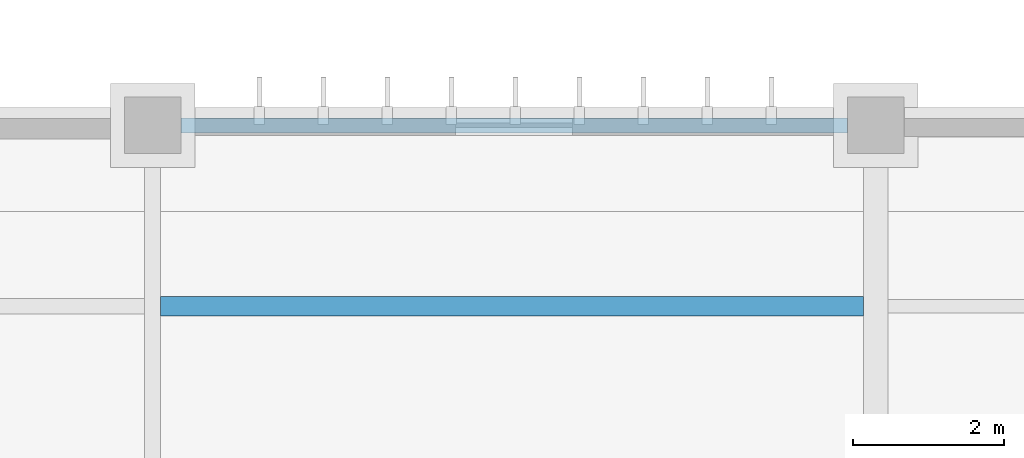
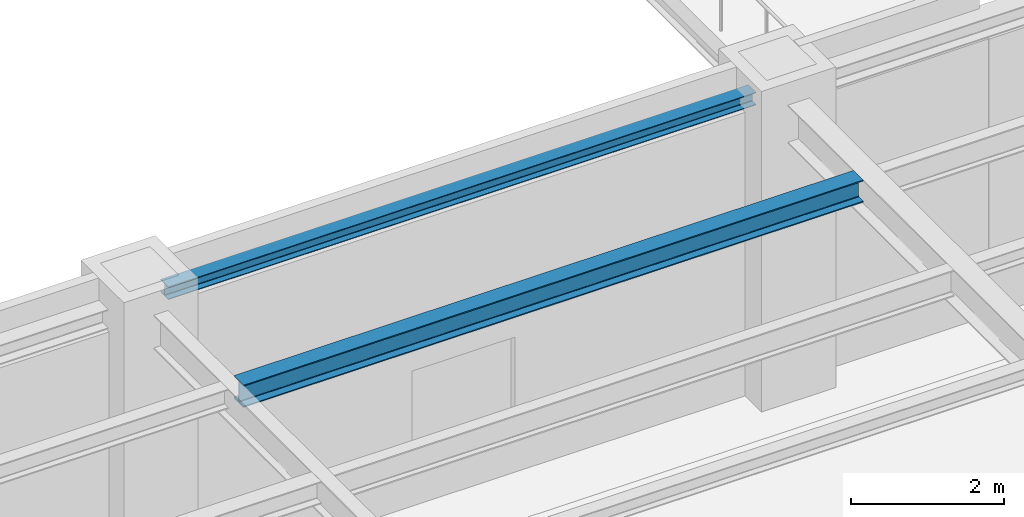
# One storey, part 47 of 174: 2 beams.
"""IFC4 building model written with IfcOpenShell, lengths in metres."""

from ifc_helpers import new_model, si_unit, direction, frame, origin, origin_2d, place, context, subcontext, project, spatial, i_section, extrude, material, material_profile, profile_set, type_object, element, save


model = new_model("IFC4")

# Units and contexts
model_context = context("Model", 3, precision=1e-05, world=origin(), true_north=direction((0.0, 1.0)))
body_context = subcontext(model_context, "Body", "Model", "MODEL_VIEW")
ifc_project = project(units=[si_unit("LENGTHUNIT", "METRE"), si_unit("AREAUNIT", "SQUARE_METRE"), si_unit("VOLUMEUNIT", "CUBIC_METRE"), si_unit("PLANEANGLEUNIT", "RADIAN"), si_unit("MASSUNIT", "GRAM", prefix="KILO")], contexts=[model_context])

# Site, building, storey
site_placement = place(None, origin())
site = spatial("IfcSite", under=ifc_project, at=site_placement, CompositionType="ELEMENT")
building_placement = place(site_placement, origin())
building = spatial("IfcBuilding", under=site, at=building_placement, Name="Mavantir Sound Aquarium", CompositionType="ELEMENT")
storey_placement = place(building_placement, frame((0.0, 0.0, 5.39990234375)))
storey = spatial("IfcBuildingStorey", under=building, at=storey_placement, Name="L01", CompositionType="ELEMENT", Elevation=5.39990234375)

# Beams
ifc_material = material(Name="Structural Steel ASTM A992 Gr50", Category="steel")
ifc_material_profile_1 = material_profile(ifc_material, i_section(OverallWidth=0.202880859375, OverallDepth=0.202880859375, WebThickness=0.007080078125, FlangeThickness=0.010986328125, FilletRadius=0.010009765625, at=origin_2d()), Name="W200X46")
ifc_profile_set_1 = profile_set([ifc_material_profile_1], Name="Structural Steel ASTM A992 Gr50")
beam_type_1 = type_object("IfcBeamType", Name="BM-W200X46-E", PredefinedType="LINTEL", material=ifc_profile_set_1)
beam_1_placement = place(storey_placement, frame((117.97509765625, 19.199951171875, 4.64453125), z_axis=(1.0, 0.0, 0.0), x_axis=(0.0, 1.0, 0.0)))
element("IfcBeam", 1, at=beam_1_placement, inside=storey, type_object=beam_type_1, Name="L01 primary beam SL-20 1406", PredefinedType="LINTEL", context=body_context, shape_type="SweptSolid", body=[
    extrude(i_section(OverallWidth=0.202880859375, OverallDepth=0.202880859375, WebThickness=0.007080078125, FlangeThickness=0.010986328125, FilletRadius=0.010009765625, at=origin_2d()), origin(), (0.0, 0.0, 1.0), 8.849853515625),
])
ifc_material_profile_2 = material_profile(ifc_material, i_section(OverallWidth=0.25390625, OverallDepth=0.35302734375, WebThickness=0.009521484375, FlangeThickness=0.016357421875, FilletRadius=0.014892578125, at=origin_2d()), Name="W360X91")
ifc_profile_set_2 = profile_set([ifc_material_profile_2], Name="Structural Steel ASTM A992 Gr50")
beam_type_2 = type_object("IfcBeamType", Name="BM-W360X91-I", PredefinedType="JOIST", material=ifc_profile_set_2)
beam_2_placement = place(storey_placement, frame((117.7060546875, 16.800048828125, 4.569580078125), z_axis=(1.0, 0.0, 0.0), x_axis=(0.0, 1.0, 0.0)))
element("IfcBeam", 2, at=beam_2_placement, inside=storey, type_object=beam_type_2, Name="L01 secondary floor joist SJ-36 842", PredefinedType="JOIST", context=body_context, shape_type="SweptSolid", body=[
    extrude(i_section(OverallWidth=0.25390625, OverallDepth=0.35302734375, WebThickness=0.009521484375, FlangeThickness=0.016357421875, FilletRadius=0.014892578125, at=origin_2d()), origin(), (0.0, 0.0, 1.0), 9.33203125),
])

save(model, "model.ifc")
